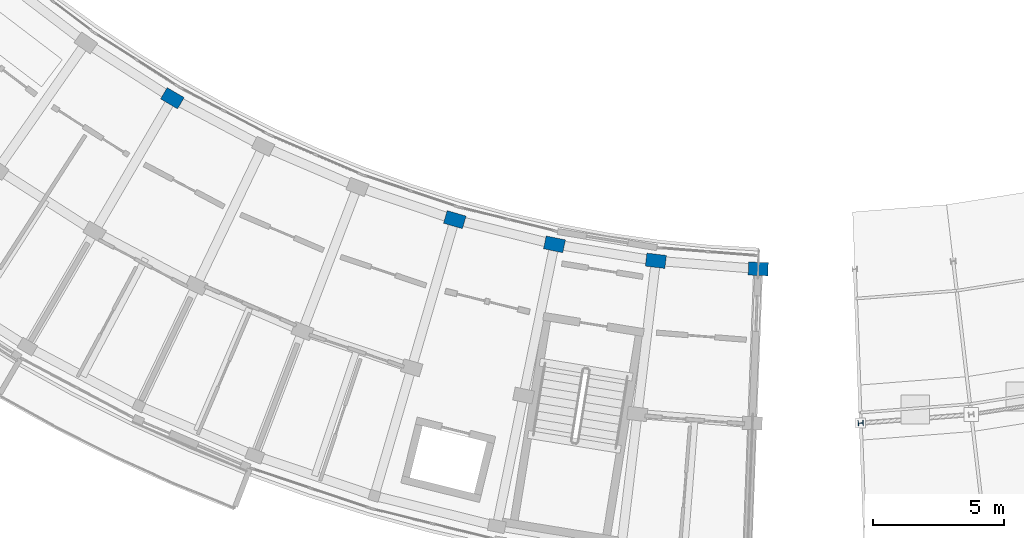
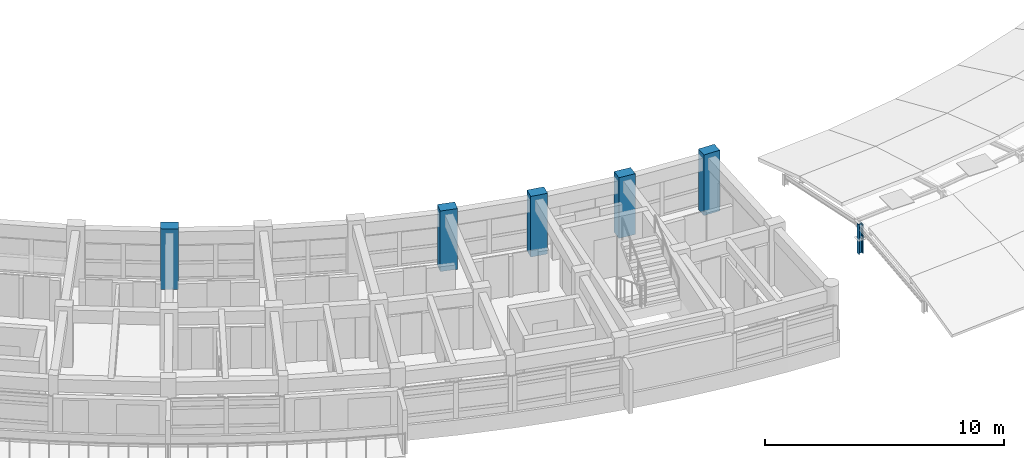
# One storey, part 2 of 50: 6 columns.
"""IFC4 building model written with IfcOpenShell, lengths in metres."""

from ifc_helpers import new_model, si_unit, direction, frame, origin, origin_2d, place, context, subcontext, project, spatial, rectangle, i_section, extrude, material, material_profile, profile_set, type_object, element, save


model = new_model("IFC4")

# Units and contexts
model_context = context("Model", 3, precision=1e-05, world=origin(), true_north=direction((0.0, 1.0)))
body_context = subcontext(model_context, "Body", "Model", "MODEL_VIEW")
ifc_project = project(units=[si_unit("LENGTHUNIT", "METRE"), si_unit("AREAUNIT", "SQUARE_METRE"), si_unit("VOLUMEUNIT", "CUBIC_METRE"), si_unit("PLANEANGLEUNIT", "RADIAN"), si_unit("MASSUNIT", "GRAM", prefix="KILO")], contexts=[model_context])

# Site, building, storey
site_placement = place(None, origin())
site = spatial("IfcSite", under=ifc_project, at=site_placement, CompositionType="ELEMENT")
building_placement = place(site_placement, origin())
building = spatial("IfcBuilding", under=site, at=building_placement, Name="Zimvara Arc Housing Community", CompositionType="ELEMENT")
storey_placement = place(building_placement, frame((0.0, 0.0, 26.699951171875)))
storey = spatial("IfcBuildingStorey", under=building, at=storey_placement, Name="L08", CompositionType="ELEMENT", Elevation=26.699951171875)

# Columns
ifc_material_1 = material(Name="Concrete C40/50", Category="concrete")
ifc_material_profile_1 = material_profile(ifc_material_1, rectangle(XDim=0.5, YDim=0.75, at=origin_2d()), Name="RC 500x750")
ifc_profile_set_1 = profile_set([ifc_material_profile_1], Name="Concrete C40/50")
column_type_1 = type_object("IfcColumnType", Name="COL-RC-500x750", PredefinedType="COLUMN", material=ifc_profile_set_1)
for number, where, z_axis, x_axis, name in (
    (1, (101.8173828125, 68.4775390625, 0.0), (0.0, 0.0, 1.0), (-0.504226211181, -0.863571611366, 0.0), "col:blkC:L08:b4:r1"),
    (2, (112.57861328125, 63.85205078125, 0.0), (0.0, 0.0, 1.0), (-0.27966144946, -0.96009867914, 0.0), "col:blkC:L08:b7:r1"),
    (3, (116.377197265625, 62.912109375, 0.0), (0.0, 0.0, 1.0), (-0.200393999665, -0.979715389742, 0.0), "col:blkC:L08:b8:r1"),
    (4, (120.23974609375, 62.28515625, 0.0), (0.0, 0.0, 1.0), (-0.119790293837, -0.992799217114, 0.0), "col:blkC:L08:b9:r1"),
    (5, (124.140380859375, 61.975341796875, 0.0), (0.0, 0.0, 1.0), (-0.038387809088, -0.999262916411, 0.0), "col:blkC:L08:b10:r1"),
):
    element("IfcColumn", number, at=place(storey_placement, frame(where, z_axis=z_axis, x_axis=x_axis)), inside=storey, type_object=column_type_1, Name=name, PredefinedType="COLUMN", context=body_context, shape_type="SweptSolid", body=[
        extrude(rectangle(XDim=0.5, YDim=0.75, at=origin_2d()), origin(), (0.0, 0.0, 1.0), 3.10009765625),
    ])
ifc_material_2 = material(Name="Steel S355", Category="steel")
ifc_material_profile_2 = material_profile(ifc_material_2, i_section(OverallWidth=0.199951171875, OverallDepth=0.199951171875, WebThickness=0.009033203125, FlangeThickness=0.014892578125, FilletRadius=0.01806640625, at=origin_2d()), Name="HEB 200")
ifc_profile_set_2 = profile_set([ifc_material_profile_2], Name="Steel S355")
column_type_2 = type_object("IfcColumnType", Name="COL-ST-HEB200", PredefinedType="COLUMN", material=ifc_profile_set_2)
column_placement = place(storey_placement, frame((128.045166015625, 56.099609375, 0.0), z_axis=(0.0, 0.0, 1.0), x_axis=(0.038387809088, -0.999262916411, 0.0)))
element("IfcColumn", 6, at=column_placement, inside=storey, type_object=column_type_2, Name="col:blkD:L08:ribpost2:g0", PredefinedType="COLUMN", context=body_context, shape_type="SweptSolid", body=[
    extrude(i_section(OverallWidth=0.199951171875, OverallDepth=0.199951171875, WebThickness=0.009033203125, FlangeThickness=0.014892578125, FilletRadius=0.01806640625, at=origin_2d()), origin(), (0.0, 0.0, 1.0), 1.51513671875),
])

save(model, "model.ifc")
